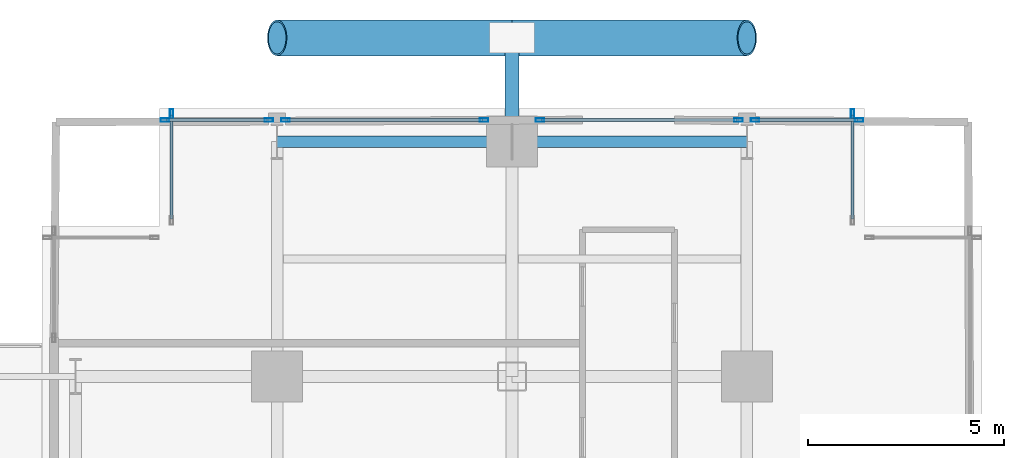
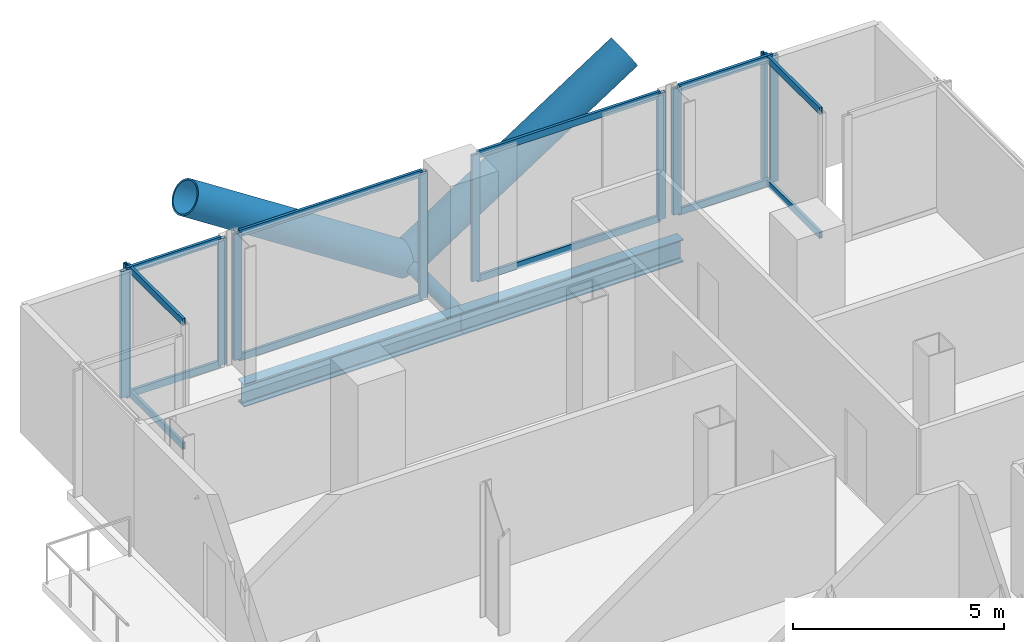
# One storey, part 16 of 27: 25 members, 2 beams, 6 elements without a shape of their own.
"""IFC4 building model written with IfcOpenShell, lengths in metres."""

from ifc_helpers import new_model, si_unit, direction, frame, origin, origin_2d, place, context, subcontext, project, spatial, hollow_rectangle, hollow_circle, i_section, extrude, material, layer, layer_set, material_profile, profile_set, type_object, element, aggregate, save


model = new_model("IFC4")

# Units and contexts
model_context = context("Model", 3, precision=1e-05, world=origin(), true_north=direction((0.0, 1.0)))
body_context = subcontext(model_context, "Body", "Model", "MODEL_VIEW")
ifc_project = project(units=[si_unit("LENGTHUNIT", "METRE"), si_unit("AREAUNIT", "SQUARE_METRE"), si_unit("VOLUMEUNIT", "CUBIC_METRE"), si_unit("PLANEANGLEUNIT", "RADIAN"), si_unit("MASSUNIT", "GRAM", prefix="KILO"), si_unit("THERMODYNAMICTEMPERATUREUNIT", "KELVIN"), si_unit("POWERUNIT", "WATT")], contexts=[model_context])

# Site, building, storey
site_placement = place(None, origin())
site = spatial("IfcSite", under=ifc_project, at=site_placement, CompositionType="ELEMENT")
building_placement = place(site_placement, origin())
building = spatial("IfcBuilding", under=site, at=building_placement, Name="Svarakhadi Broadcast Tower", CompositionType="ELEMENT")
storey_placement = place(building_placement, frame((0.0, 0.0, 75.300048828125)))
storey = spatial("IfcBuildingStorey", under=building, at=storey_placement, Name="L17", CompositionType="ELEMENT", Elevation=75.300048828125)

# Curtain wall, member
ifc_material_1 = material(Name="Anodised Bronze Aluminium AA 6063-T6", Category="aluminium")
ifc_layer = layer(ifc_material_1, 0.219970703125)
ifc_layer_set = layer_set([ifc_layer], Name="Anodised Bronze Aluminium AA 6063-T6")
curtain_wall_type = type_object("IfcCurtainWallType", Name="CW_Sys_02", PredefinedType="NOTDEFINED", material=ifc_layer_set)
curtain_wall_1_placement = place(storey_placement, origin())
curtain_wall_1 = element("IfcCurtainWall", 1, at=curtain_wall_1_placement, inside=storey, type_object=curtain_wall_type, Name="L17 Unitised Facade Curtain Wall 05", PredefinedType="NOTDEFINED")
ifc_material_profile_1 = material_profile(ifc_material_1, hollow_rectangle(XDim=0.0849609375, YDim=0.219970703125, WallThickness=0.006103515625, at=origin_2d()), Name="ALU MULLION 220x85x6")
ifc_profile_set_1 = profile_set([ifc_material_profile_1], Name="Anodised Bronze Aluminium AA 6063-T6")
member_type_1 = type_object("IfcMemberType", Name="CW_Sys_02_Mul", PredefinedType="MULLION", material=ifc_profile_set_1)
member_1_placement = place(storey_placement, frame((3.300048828125, 47.867431640625, 0.0), z_axis=(0.0, 0.0, 1.0), x_axis=(-1.0, 0.0, 0.0)))
member_1 = element("IfcMember", 2, at=member_1_placement, type_object=member_type_1, Name="CW-02 mullion 2", PredefinedType="MULLION", context=body_context, shape_type="SweptSolid", body=[
    extrude(hollow_rectangle(XDim=0.0849609375, YDim=0.219970703125, WallThickness=0.006103515625, at=origin_2d()), origin(), (0.0, 0.0, 1.0), 3.64990234375),
])

# Curtain wall, members
curtain_wall_2_placement = place(storey_placement, origin())
curtain_wall_2 = element("IfcCurtainWall", 3, at=curtain_wall_2_placement, inside=storey, type_object=curtain_wall_type, Name="L17 Unitised Facade Curtain Wall 06 Bay 1", PredefinedType="NOTDEFINED")
member_2_placement = place(storey_placement, frame((3.132568359375, 47.699951171875, 0.0), z_axis=(0.0, 0.0, 1.0), x_axis=(0.0, 1.0, 0.0)))
member_2 = element("IfcMember", 4, at=member_2_placement, type_object=member_type_1, Name="CW-02 mullion 1", PredefinedType="MULLION", context=body_context, shape_type="SweptSolid", body=[
    extrude(hollow_rectangle(XDim=0.0849609375, YDim=0.219970703125, WallThickness=0.006103515625, at=origin_2d()), origin(), (0.0, 0.0, 1.0), 3.64990234375),
])
member_3_placement = place(storey_placement, frame((5.78759765625, 47.699951171875, 0.0), z_axis=(0.0, 0.0, 1.0), x_axis=(0.0, 1.0, 0.0)))
member_3 = element("IfcMember", 5, at=member_3_placement, type_object=member_type_1, Name="CW-02 mullion 2", PredefinedType="MULLION", context=body_context, shape_type="SweptSolid", body=[
    extrude(hollow_rectangle(XDim=0.0849609375, YDim=0.219970703125, WallThickness=0.006103515625, at=origin_2d()), origin(), (0.0, 0.0, 1.0), 3.64990234375),
])

curtain_wall_3_placement = place(storey_placement, origin())
curtain_wall_3 = element("IfcCurtainWall", 6, at=curtain_wall_3_placement, inside=storey, type_object=curtain_wall_type, Name="L17 Unitised Facade Curtain Wall 06 Bay 2", PredefinedType="NOTDEFINED")
member_4_placement = place(storey_placement, frame((6.21240234375, 47.699951171875, 0.0), z_axis=(0.0, 0.0, 1.0), x_axis=(0.0, 1.0, 0.0)))
member_4 = element("IfcMember", 7, at=member_4_placement, type_object=member_type_1, Name="CW-02 mullion 1", PredefinedType="MULLION", context=body_context, shape_type="SweptSolid", body=[
    extrude(hollow_rectangle(XDim=0.0849609375, YDim=0.219970703125, WallThickness=0.006103515625, at=origin_2d()), origin(), (0.0, 0.0, 1.0), 3.64990234375),
])
member_5_placement = place(storey_placement, frame((11.28759765625, 47.699951171875, 0.0), z_axis=(0.0, 0.0, 1.0), x_axis=(0.0, 1.0, 0.0)))
member_5 = element("IfcMember", 8, at=member_5_placement, type_object=member_type_1, Name="CW-02 mullion 2", PredefinedType="MULLION", context=body_context, shape_type="SweptSolid", body=[
    extrude(hollow_rectangle(XDim=0.0849609375, YDim=0.219970703125, WallThickness=0.006103515625, at=origin_2d()), origin(), (0.0, 0.0, 1.0), 3.64990234375),
])

curtain_wall_4_placement = place(storey_placement, origin())
curtain_wall_4 = element("IfcCurtainWall", 9, at=curtain_wall_4_placement, inside=storey, type_object=curtain_wall_type, Name="L17 Unitised Facade Curtain Wall 06 Bay 3", PredefinedType="NOTDEFINED")
member_6_placement = place(storey_placement, frame((12.71240234375, 47.699951171875, 0.0), z_axis=(0.0, 0.0, 1.0), x_axis=(0.0, 1.0, 0.0)))
member_6 = element("IfcMember", 10, at=member_6_placement, type_object=member_type_1, Name="CW-02 mullion 1", PredefinedType="MULLION", context=body_context, shape_type="SweptSolid", body=[
    extrude(hollow_rectangle(XDim=0.0849609375, YDim=0.219970703125, WallThickness=0.006103515625, at=origin_2d()), origin(), (0.0, 0.0, 1.0), 3.64990234375),
])
member_7_placement = place(storey_placement, frame((17.78759765625, 47.699951171875, 0.0), z_axis=(0.0, 0.0, 1.0), x_axis=(0.0, 1.0, 0.0)))
member_7 = element("IfcMember", 11, at=member_7_placement, type_object=member_type_1, Name="CW-02 mullion 2", PredefinedType="MULLION", context=body_context, shape_type="SweptSolid", body=[
    extrude(hollow_rectangle(XDim=0.0849609375, YDim=0.219970703125, WallThickness=0.006103515625, at=origin_2d()), origin(), (0.0, 0.0, 1.0), 3.64990234375),
])

curtain_wall_5_placement = place(storey_placement, origin())
curtain_wall_5 = element("IfcCurtainWall", 12, at=curtain_wall_5_placement, inside=storey, type_object=curtain_wall_type, Name="L17 Unitised Facade Curtain Wall 06 Bay 4", PredefinedType="NOTDEFINED")
member_8_placement = place(storey_placement, frame((18.21240234375, 47.699951171875, 0.0), z_axis=(0.0, 0.0, 1.0), x_axis=(0.0, 1.0, 0.0)))
member_8 = element("IfcMember", 13, at=member_8_placement, type_object=member_type_1, Name="CW-02 mullion 1", PredefinedType="MULLION", context=body_context, shape_type="SweptSolid", body=[
    extrude(hollow_rectangle(XDim=0.0849609375, YDim=0.219970703125, WallThickness=0.006103515625, at=origin_2d()), origin(), (0.0, 0.0, 1.0), 3.64990234375),
])
member_9_placement = place(storey_placement, frame((20.867431640625, 47.699951171875, 0.0), z_axis=(0.0, 0.0, 1.0), x_axis=(0.0, 1.0, 0.0)))
member_9 = element("IfcMember", 14, at=member_9_placement, type_object=member_type_1, Name="CW-02 mullion 2", PredefinedType="MULLION", context=body_context, shape_type="SweptSolid", body=[
    extrude(hollow_rectangle(XDim=0.0849609375, YDim=0.219970703125, WallThickness=0.006103515625, at=origin_2d()), origin(), (0.0, 0.0, 1.0), 3.64990234375),
])

# Curtain wall, member
curtain_wall_6_placement = place(storey_placement, origin())
curtain_wall_6 = element("IfcCurtainWall", 15, at=curtain_wall_6_placement, inside=storey, type_object=curtain_wall_type, Name="L17 Unitised Facade Curtain Wall 07", PredefinedType="NOTDEFINED")
member_10_placement = place(storey_placement, frame((20.699951171875, 47.867431640625, 0.0), z_axis=(0.0, 0.0, 1.0), x_axis=(1.0, 0.0, 0.0)))
member_10 = element("IfcMember", 16, at=member_10_placement, type_object=member_type_1, Name="CW-02 mullion 1", PredefinedType="MULLION", context=body_context, shape_type="SweptSolid", body=[
    extrude(hollow_rectangle(XDim=0.0849609375, YDim=0.219970703125, WallThickness=0.006103515625, at=origin_2d()), origin(), (0.0, 0.0, 1.0), 3.64990234375),
])

# Member
ifc_material_profile_2 = material_profile(ifc_material_1, hollow_rectangle(XDim=0.074951171875, YDim=0.199951171875, WallThickness=0.0048828125, at=origin_2d()), Name="ALU TRANSOM 200x75x5")
ifc_profile_set_2 = profile_set([ifc_material_profile_2], Name="Anodised Bronze Aluminium AA 6063-T6")
member_type_2 = type_object("IfcMemberType", Name="CW_Sys_02_Trn", PredefinedType="USERDEFINED", material=ifc_profile_set_2)
member_11_placement = place(storey_placement, frame((3.300048828125, 45.175048828125, 0.037353515625), z_axis=(0.0, 1.0, 0.0), x_axis=(-1.0, 0.0, 0.0)))
member_11 = element("IfcMember", 17, at=member_11_placement, type_object=member_type_2, Name="CW-02 transom 1.1", ObjectType="TRANSOM", PredefinedType="USERDEFINED", context=body_context, shape_type="SweptSolid", body=[
    extrude(hollow_rectangle(XDim=0.074951171875, YDim=0.199951171875, WallThickness=0.0048828125, at=origin_2d()), origin(), (0.0, 0.0, 1.0), 2.64990234375),
])

member_12_placement = place(storey_placement, frame((3.300048828125, 45.175048828125, 3.612548828125), z_axis=(0.0, 1.0, 0.0), x_axis=(-1.0, 0.0, 0.0)))
member_12 = element("IfcMember", 18, at=member_12_placement, type_object=member_type_2, Name="CW-02 transom 1.2", ObjectType="TRANSOM", PredefinedType="USERDEFINED", context=body_context, shape_type="SweptSolid", body=[
    extrude(hollow_rectangle(XDim=0.074951171875, YDim=0.199951171875, WallThickness=0.0048828125, at=origin_2d()), origin(), (0.0, 0.0, 1.0), 2.64990234375),
])

aggregate(curtain_wall_1, [member_1, member_11, member_12])

member_13_placement = place(storey_placement, frame((3.175048828125, 47.699951171875, 0.037353515625), z_axis=(1.0, 0.0, 0.0), x_axis=(0.0, 1.0, 0.0)))
member_13 = element("IfcMember", 19, at=member_13_placement, type_object=member_type_2, Name="CW-02 transom 1.1", ObjectType="TRANSOM", PredefinedType="USERDEFINED", context=body_context, shape_type="SweptSolid", body=[
    extrude(hollow_rectangle(XDim=0.074951171875, YDim=0.199951171875, WallThickness=0.0048828125, at=origin_2d()), origin(), (0.0, 0.0, 1.0), 2.570068359375),
])

member_14_placement = place(storey_placement, frame((3.175048828125, 47.699951171875, 3.612548828125), z_axis=(1.0, 0.0, 0.0), x_axis=(0.0, 1.0, 0.0)))
member_14 = element("IfcMember", 20, at=member_14_placement, type_object=member_type_2, Name="CW-02 transom 1.2", ObjectType="TRANSOM", PredefinedType="USERDEFINED", context=body_context, shape_type="SweptSolid", body=[
    extrude(hollow_rectangle(XDim=0.074951171875, YDim=0.199951171875, WallThickness=0.0048828125, at=origin_2d()), origin(), (0.0, 0.0, 1.0), 2.570068359375),
])

aggregate(curtain_wall_2, [member_2, member_3, member_13, member_14])

member_15_placement = place(storey_placement, frame((6.2548828125, 47.699951171875, 0.037353515625), z_axis=(1.0, 0.0, 0.0), x_axis=(0.0, 1.0, 0.0)))
member_15 = element("IfcMember", 21, at=member_15_placement, type_object=member_type_2, Name="CW-02 transom 1.1", ObjectType="TRANSOM", PredefinedType="USERDEFINED", context=body_context, shape_type="SweptSolid", body=[
    extrude(hollow_rectangle(XDim=0.074951171875, YDim=0.199951171875, WallThickness=0.0048828125, at=origin_2d()), origin(), (0.0, 0.0, 1.0), 4.990234375),
])

member_16_placement = place(storey_placement, frame((6.2548828125, 47.699951171875, 3.612548828125), z_axis=(1.0, 0.0, 0.0), x_axis=(0.0, 1.0, 0.0)))
member_16 = element("IfcMember", 22, at=member_16_placement, type_object=member_type_2, Name="CW-02 transom 1.2", ObjectType="TRANSOM", PredefinedType="USERDEFINED", context=body_context, shape_type="SweptSolid", body=[
    extrude(hollow_rectangle(XDim=0.074951171875, YDim=0.199951171875, WallThickness=0.0048828125, at=origin_2d()), origin(), (0.0, 0.0, 1.0), 4.990234375),
])

aggregate(curtain_wall_3, [member_4, member_5, member_15, member_16])

member_17_placement = place(storey_placement, frame((12.7548828125, 47.699951171875, 0.037353515625), z_axis=(1.0, 0.0, 0.0), x_axis=(0.0, 1.0, 0.0)))
member_17 = element("IfcMember", 23, at=member_17_placement, type_object=member_type_2, Name="CW-02 transom 1.1", ObjectType="TRANSOM", PredefinedType="USERDEFINED", context=body_context, shape_type="SweptSolid", body=[
    extrude(hollow_rectangle(XDim=0.074951171875, YDim=0.199951171875, WallThickness=0.0048828125, at=origin_2d()), origin(), (0.0, 0.0, 1.0), 4.990234375),
])

member_18_placement = place(storey_placement, frame((12.7548828125, 47.699951171875, 3.612548828125), z_axis=(1.0, 0.0, 0.0), x_axis=(0.0, 1.0, 0.0)))
member_18 = element("IfcMember", 24, at=member_18_placement, type_object=member_type_2, Name="CW-02 transom 1.2", ObjectType="TRANSOM", PredefinedType="USERDEFINED", context=body_context, shape_type="SweptSolid", body=[
    extrude(hollow_rectangle(XDim=0.074951171875, YDim=0.199951171875, WallThickness=0.0048828125, at=origin_2d()), origin(), (0.0, 0.0, 1.0), 4.990234375),
])

aggregate(curtain_wall_4, [member_6, member_7, member_17, member_18])

member_19_placement = place(storey_placement, frame((18.2548828125, 47.699951171875, 0.037353515625), z_axis=(1.0, 0.0, 0.0), x_axis=(0.0, 1.0, 0.0)))
member_19 = element("IfcMember", 25, at=member_19_placement, type_object=member_type_2, Name="CW-02 transom 1.1", ObjectType="TRANSOM", PredefinedType="USERDEFINED", context=body_context, shape_type="SweptSolid", body=[
    extrude(hollow_rectangle(XDim=0.074951171875, YDim=0.199951171875, WallThickness=0.0048828125, at=origin_2d()), origin(), (0.0, 0.0, 1.0), 2.570068359375),
])

member_20_placement = place(storey_placement, frame((18.2548828125, 47.699951171875, 3.612548828125), z_axis=(1.0, 0.0, 0.0), x_axis=(0.0, 1.0, 0.0)))
member_20 = element("IfcMember", 26, at=member_20_placement, type_object=member_type_2, Name="CW-02 transom 1.2", ObjectType="TRANSOM", PredefinedType="USERDEFINED", context=body_context, shape_type="SweptSolid", body=[
    extrude(hollow_rectangle(XDim=0.074951171875, YDim=0.199951171875, WallThickness=0.0048828125, at=origin_2d()), origin(), (0.0, 0.0, 1.0), 2.570068359375),
])

aggregate(curtain_wall_5, [member_8, member_9, member_19, member_20])

member_21_placement = place(storey_placement, frame((20.699951171875, 47.824951171875, 0.037353515625), z_axis=(0.0, -1.0, 0.0), x_axis=(1.0, 0.0, 0.0)))
member_21 = element("IfcMember", 27, at=member_21_placement, type_object=member_type_2, Name="CW-02 transom 1.1", ObjectType="TRANSOM", PredefinedType="USERDEFINED", context=body_context, shape_type="SweptSolid", body=[
    extrude(hollow_rectangle(XDim=0.074951171875, YDim=0.199951171875, WallThickness=0.0048828125, at=origin_2d()), origin(), (0.0, 0.0, 1.0), 2.64990234375),
])

member_22_placement = place(storey_placement, frame((20.699951171875, 47.824951171875, 3.612548828125), z_axis=(0.0, -1.0, 0.0), x_axis=(1.0, 0.0, 0.0)))
member_22 = element("IfcMember", 28, at=member_22_placement, type_object=member_type_2, Name="CW-02 transom 1.2", ObjectType="TRANSOM", PredefinedType="USERDEFINED", context=body_context, shape_type="SweptSolid", body=[
    extrude(hollow_rectangle(XDim=0.074951171875, YDim=0.199951171875, WallThickness=0.0048828125, at=origin_2d()), origin(), (0.0, 0.0, 1.0), 2.64990234375),
])

aggregate(curtain_wall_6, [member_10, member_21, member_22])

# Members
ifc_material_2 = material(Name="Steel S460ML (IS 2062 E450BR)", Category="steel")
ifc_material_profile_3 = material_profile(ifc_material_2, hollow_circle(Radius=0.45703125, WallThickness=0.044921875, at=origin_2d()), Name="CHS 914x45")
ifc_profile_set_3 = profile_set([ifc_material_profile_3], Name="Steel S460ML (IS 2062 E450BR)")
member_type_3 = type_object("IfcMemberType", Name="Exo_Brace_CHS914", PredefinedType="BRACE", material=ifc_profile_set_3)
for number, where, z_axis, x_axis, name in (
    (29, (12.0, 49.800048828125, -0.427734375), (-0.838449851971, 0.0, 0.544978757136), (0.0, -1.0, 0.0), "L17 Exposed Bronze Exoskeleton Diagonal N12"),
    (30, (12.0, 49.800048828125, -0.427734375), (0.838449851971, 0.0, 0.544978757136), (0.0, 1.0, 0.0), "L17 Exposed Bronze Exoskeleton Diagonal N13"),
):
    element("IfcMember", number, at=place(storey_placement, frame(where, z_axis=z_axis, x_axis=x_axis)), inside=storey, type_object=member_type_3, Name=name, PredefinedType="BRACE", context=body_context, shape_type="SweptSolid", body=[
        extrude(hollow_circle(Radius=0.45703125, WallThickness=0.044921875, at=origin_2d()), origin(), (0.0, 0.0, 1.0), 7.156005859375),
    ])
ifc_material_profile_4 = material_profile(ifc_material_2, hollow_circle(Radius=0.177734375, WallThickness=0.02001953125, at=origin_2d()), Name="CHS 355.6x20")
ifc_profile_set_4 = profile_set([ifc_material_profile_4], Name="Steel S460ML (IS 2062 E450BR)")
member_type_4 = type_object("IfcMemberType", Name="Exo_Radial_Strut_Z1", PredefinedType="STRUT", material=ifc_profile_set_4)
member_23_placement = place(storey_placement, frame((12.0, 49.800048828125, -0.427734375), z_axis=(0.0, -1.0, 0.0), x_axis=(1.0, 0.0, 0.0)))
element("IfcMember", 31, at=member_23_placement, inside=storey, type_object=member_type_4, Name="L17 Exoskeleton Radial Tie Strut N07", PredefinedType="STRUT", context=body_context, shape_type="SweptSolid", body=[
    extrude(hollow_circle(Radius=0.177734375, WallThickness=0.02001953125, at=origin_2d()), origin(), (0.0, 0.0, 1.0), 2.650146484375),
])

# Beams
ifc_material_3 = material(Name="Steel S355J2 (IS 2062 E350C)", Category="steel")
ifc_material_profile_5 = material_profile(ifc_material_3, i_section(OverallWidth=0.300048828125, OverallDepth=0.64990234375, WebThickness=0.01611328125, FlangeThickness=0.031005859375, FilletRadius=0.027099609375, at=origin_2d()), Name="WPB 650x300x225")
ifc_profile_set_5 = profile_set([ifc_material_profile_5], Name="Steel S355J2 (IS 2062 E350C)")
beam_type = type_object("IfcBeamType", Name="Girder_WPB650", PredefinedType="USERDEFINED", material=ifc_profile_set_5)
for number, where, z_axis, x_axis, name in (
    (32, (6.0, 47.14990234375, -0.574951171875), (1.0, 0.0, 0.0), (0.0, 1.0, 0.0), "L17 Primary E-W Girder G043"),
    (33, (12.0, 47.14990234375, -0.574951171875), (1.0, 0.0, 0.0), (0.0, 1.0, 0.0), "L17 Primary E-W Girder G044"),
):
    element("IfcBeam", number, at=place(storey_placement, frame(where, z_axis=z_axis, x_axis=x_axis)), inside=storey, type_object=beam_type, Name=name, ObjectType="GIRDER", PredefinedType="USERDEFINED", context=body_context, shape_type="SweptSolid", body=[
        extrude(i_section(OverallWidth=0.300048828125, OverallDepth=0.64990234375, WebThickness=0.01611328125, FlangeThickness=0.031005859375, FilletRadius=0.027099609375, at=origin_2d()), origin(), (0.0, 0.0, 1.0), 6.0),
    ])

save(model, "model.ifc")
